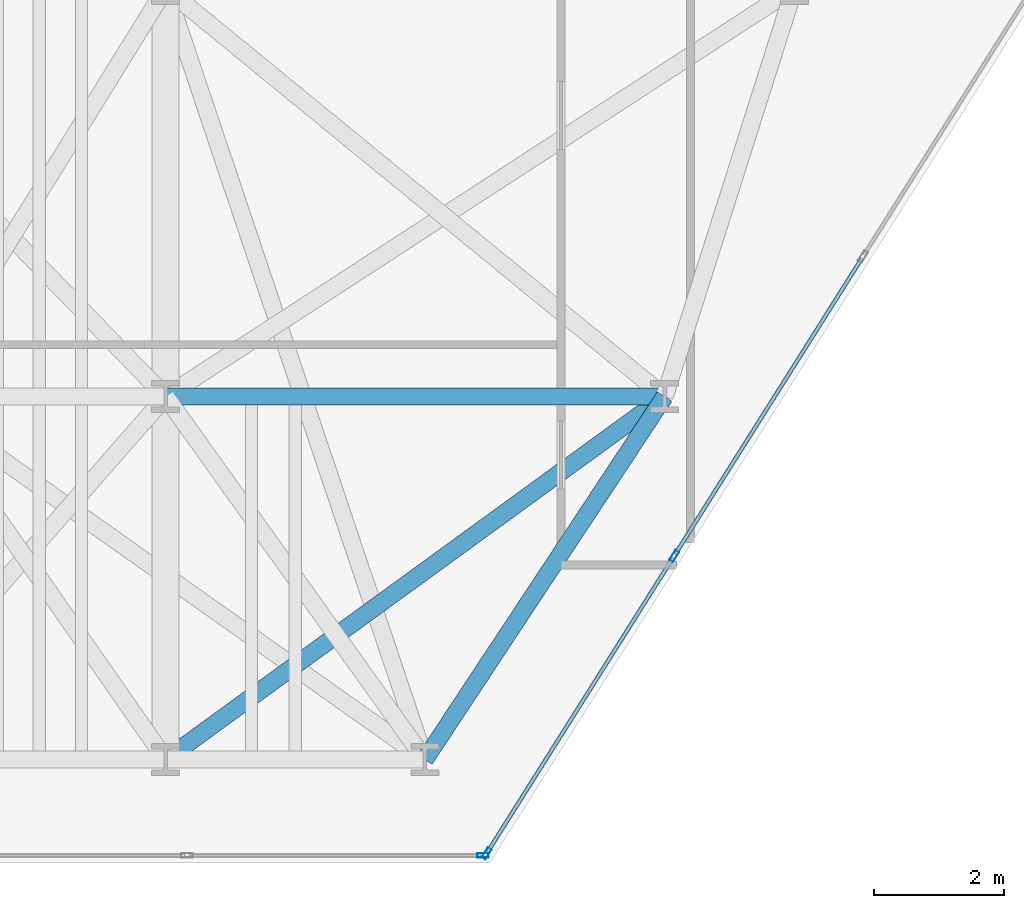
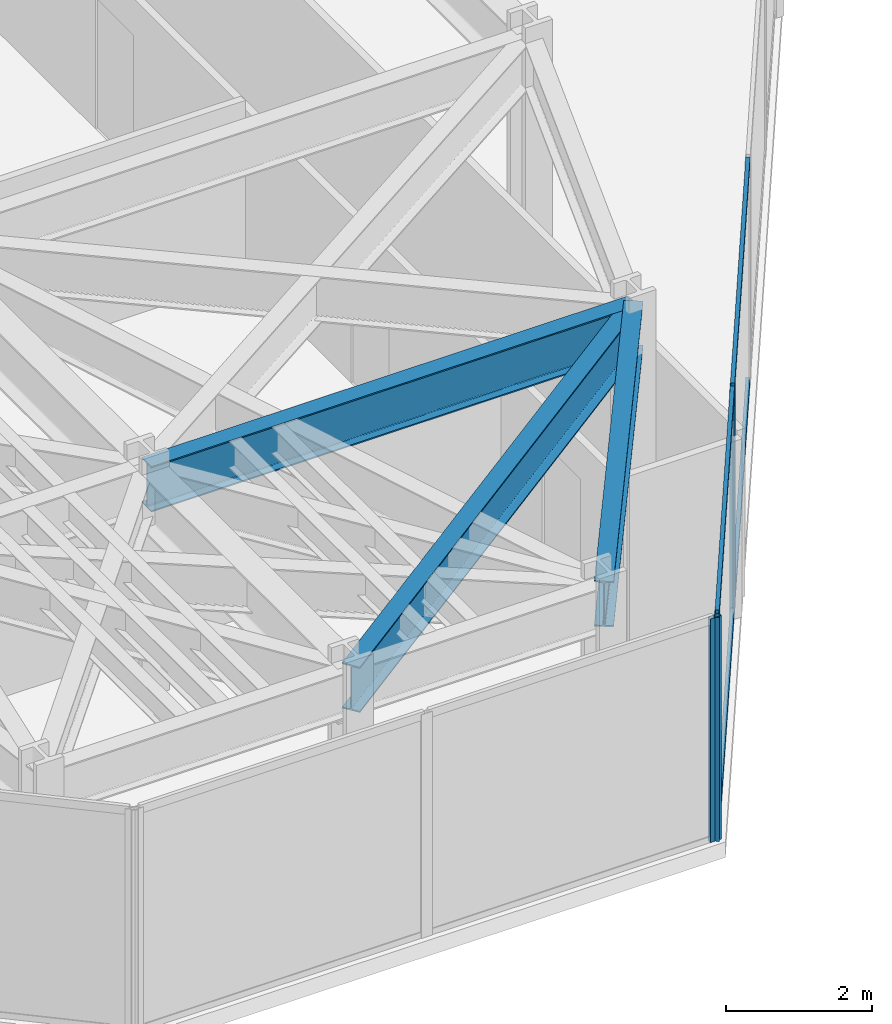
# One storey, part 5 of 25: 7 members, 3 beams, 2 elements without a shape of their own.
"""IFC4 building model written with IfcOpenShell, lengths in metres."""

from ifc_helpers import new_model, si_unit, direction, frame, origin, origin_2d, place, context, subcontext, project, spatial, hollow_rectangle, i_section, extrude, material, layer, layer_set, material_profile, profile_set, type_object, element, aggregate, save


model = new_model("IFC4")

# Units and contexts
model_context = context("Model", 3, precision=1e-05, world=origin(), true_north=direction((0.0, 1.0)))
body_context = subcontext(model_context, "Body", "Model", "MODEL_VIEW")
ifc_project = project(units=[si_unit("LENGTHUNIT", "METRE"), si_unit("AREAUNIT", "SQUARE_METRE"), si_unit("VOLUMEUNIT", "CUBIC_METRE"), si_unit("PLANEANGLEUNIT", "RADIAN"), si_unit("MASSUNIT", "GRAM", prefix="KILO")], contexts=[model_context])

# Site, building, storey
site_placement = place(None, origin())
site = spatial("IfcSite", under=ifc_project, at=site_placement, CompositionType="ELEMENT")
building_placement = place(site_placement, origin())
building = spatial("IfcBuilding", under=site, at=building_placement, Name="Kravanh Interchange Tower", CompositionType="ELEMENT")
storey_placement = place(building_placement, frame((0.0, 0.0, 65.5)))
storey = spatial("IfcBuildingStorey", under=building, at=storey_placement, Name="L15", CompositionType="ELEMENT", Elevation=65.5)

# Curtain wall, members
ifc_material_1 = material(Name="Anodised Bronze Aluminium", Category="aluminium")
ifc_layer = layer(ifc_material_1, 0.179931640625)
ifc_layer_set = layer_set([ifc_layer], Name="Unitised Curtain Wall System CW-Z1 Lower Office")
curtain_wall_type = type_object("IfcCurtainWallType", Name="Unitised Curtain Wall System CW-Z1 Lower Office", PredefinedType="NOTDEFINED", material=ifc_layer_set)
curtain_wall_1_placement = place(storey_placement, origin())
curtain_wall_1 = element("IfcCurtainWall", 1, at=curtain_wall_1_placement, inside=storey, type_object=curtain_wall_type, Name="L15 Unitised Curtain Wall CW-L15-05", PredefinedType="NOTDEFINED")
ifc_material_2 = material(Name="Anodised Bronze Aluminium", Category="aluminium")
ifc_material_profile_1 = material_profile(ifc_material_2, hollow_rectangle(XDim=0.070068359375, YDim=0.179931640625, WallThickness=0.00390625, at=origin_2d()), Name="ALU70X180X4")
ifc_profile_set_1 = profile_set([ifc_material_profile_1], Name="Anodised Bronze Aluminium")
member_type_1 = type_object("IfcMemberType", Name="Curtain Wall Mullion ALU70X180X4 Bronze", PredefinedType="MULLION", material=ifc_profile_set_1)
member_1_placement = place(storey_placement, frame((25.346923828125, 5.740966796875, 0.0), z_axis=(0.0, 0.0, 1.0), x_axis=(0.845925530786, -0.53330103728, 0.0)))
member_1 = element("IfcMember", 2, at=member_1_placement, type_object=member_type_1, Name="CW-Z1 mullion 5", PredefinedType="MULLION", context=body_context, shape_type="SweptSolid", body=[
    extrude(hollow_rectangle(XDim=0.070068359375, YDim=0.179931640625, WallThickness=0.00390625, at=origin_2d()), origin(), (0.0, 0.0, 1.0), 3.739990234375),
])
member_2_placement = place(storey_placement, frame((22.452392578125, 1.149658203125, 0.0), z_axis=(0.0, 0.0, 1.0), x_axis=(0.845925530786, -0.53330103728, 0.0)))
member_2 = element("IfcMember", 3, at=member_2_placement, type_object=member_type_1, Name="CW-Z1 mullion 6", PredefinedType="MULLION", context=body_context, shape_type="SweptSolid", body=[
    extrude(hollow_rectangle(XDim=0.070068359375, YDim=0.179931640625, WallThickness=0.00390625, at=origin_2d()), origin(), (0.0, 0.0, 1.0), 3.739990234375),
])

# Curtain wall, member
curtain_wall_2_placement = place(storey_placement, origin())
curtain_wall_2 = element("IfcCurtainWall", 4, at=curtain_wall_2_placement, inside=storey, type_object=curtain_wall_type, Name="L15 Unitised Curtain Wall CW-L15-06", PredefinedType="NOTDEFINED")
member_3_placement = place(storey_placement, frame((22.398681640625, 1.1201171875, 0.0), z_axis=(0.0, 0.0, 1.0), x_axis=(0.0, -1.0, 0.0)))
member_3 = element("IfcMember", 5, at=member_3_placement, type_object=member_type_1, Name="CW-Z1 mullion 1", PredefinedType="MULLION", context=body_context, shape_type="SweptSolid", body=[
    extrude(hollow_rectangle(XDim=0.070068359375, YDim=0.179931640625, WallThickness=0.00390625, at=origin_2d()), origin(), (0.0, 0.0, 1.0), 3.739990234375),
])
aggregate(curtain_wall_2, [member_3])

# Member
ifc_material_3 = material(Name="Anodised Bronze Aluminium", Category="aluminium")
ifc_material_profile_2 = material_profile(ifc_material_3, hollow_rectangle(XDim=0.06005859375, YDim=0.139892578125, WallThickness=0.00390625, at=origin_2d()), Name="ALU60X140X4")
ifc_profile_set_2 = profile_set([ifc_material_profile_2], Name="Anodised Bronze Aluminium")
member_type_2 = type_object("IfcMemberType", Name="Curtain Wall Transom ALU60X140X4 Bronze", PredefinedType="USERDEFINED", material=ifc_profile_set_2)
member_4_placement = place(storey_placement, frame((28.24169921875, 10.332275390625, 0.030029296875), z_axis=(-0.533311487456, -0.84591894254, 0.0), x_axis=(0.84591894254, -0.533311487456, 0.0)))
member_4 = element("IfcMember", 6, at=member_4_placement, type_object=member_type_2, Name="CW-Z1 transom 4.1", ObjectType="TRANSOM", PredefinedType="USERDEFINED", context=body_context, shape_type="SweptSolid", body=[
    extrude(hollow_rectangle(XDim=0.06005859375, YDim=0.139892578125, WallThickness=0.00390625, at=origin_2d()), origin(), (0.0, 0.0, 1.0), 5.392578125),
])

member_5_placement = place(storey_placement, frame((28.24169921875, 10.332275390625, 3.7099609375), z_axis=(-0.533311487456, -0.84591894254, 0.0), x_axis=(0.84591894254, -0.533311487456, 0.0)))
member_5 = element("IfcMember", 7, at=member_5_placement, type_object=member_type_2, Name="CW-Z1 transom 4.2", ObjectType="TRANSOM", PredefinedType="USERDEFINED", context=body_context, shape_type="SweptSolid", body=[
    extrude(hollow_rectangle(XDim=0.06005859375, YDim=0.139892578125, WallThickness=0.00390625, at=origin_2d()), origin(), (0.0, 0.0, 1.0), 5.392578125),
])

member_6_placement = place(storey_placement, frame((25.328369140625, 5.71142578125, 0.030029296875), z_axis=(-0.533288163518, -0.845933646719, 0.0), x_axis=(0.845933646719, -0.533288163518, 0.0)))
member_6 = element("IfcMember", 8, at=member_6_placement, type_object=member_type_2, Name="CW-Z1 transom 5.1", ObjectType="TRANSOM", PredefinedType="USERDEFINED", context=body_context, shape_type="SweptSolid", body=[
    extrude(hollow_rectangle(XDim=0.06005859375, YDim=0.139892578125, WallThickness=0.00390625, at=origin_2d()), origin(), (0.0, 0.0, 1.0), 5.357666015625),
])

member_7_placement = place(storey_placement, frame((25.328369140625, 5.71142578125, 3.7099609375), z_axis=(-0.533288163518, -0.845933646719, 0.0), x_axis=(0.845933646719, -0.533288163518, 0.0)))
member_7 = element("IfcMember", 9, at=member_7_placement, type_object=member_type_2, Name="CW-Z1 transom 5.2", ObjectType="TRANSOM", PredefinedType="USERDEFINED", context=body_context, shape_type="SweptSolid", body=[
    extrude(hollow_rectangle(XDim=0.06005859375, YDim=0.139892578125, WallThickness=0.00390625, at=origin_2d()), origin(), (0.0, 0.0, 1.0), 5.357666015625),
])

aggregate(curtain_wall_1, [member_1, member_2, member_4, member_5, member_6, member_7])

# Beams
ifc_material_4 = material(Name="Structural Steel S355", Category="steel")
ifc_material_profile_3 = material_profile(ifc_material_4, i_section(OverallWidth=0.26708984375, OverallDepth=0.761962890625, WebThickness=0.014404296875, FlangeThickness=0.021484375, FilletRadius=0.02490234375, at=origin_2d()), Name="W30X116")
ifc_profile_set_3 = profile_set([ifc_material_profile_3], Name="Structural Steel S355")
beam_type = type_object("IfcBeamType", Name="Floor Spandrel W30X116 Structural Steel S355", PredefinedType="SPANDREL", material=ifc_profile_set_3)
beam_1_placement = place(storey_placement, frame((17.5, 2.60009765625, 3.35888671875), z_axis=(0.808741628611, 0.588164074176, 0.0), x_axis=(-0.588164074176, 0.808741628611, 0.0)))
element("IfcBeam", 10, at=beam_1_placement, inside=storey, type_object=beam_type, Name="L15 Perimeter Spandrel 105", PredefinedType="SPANDREL", context=body_context, shape_type="SweptSolid", body=[
    extrude(i_section(OverallWidth=0.26708984375, OverallDepth=0.761962890625, WebThickness=0.014404296875, FlangeThickness=0.021484375, FilletRadius=0.02490234375, at=origin_2d()), origin(), (0.0, 0.0, 1.0), 9.52099609375),
])
beam_2_placement = place(storey_placement, frame((21.5, 2.60009765625, 3.35888671875), z_axis=(0.551262239226, 0.834332034386, 0.0), x_axis=(-0.834332034386, 0.551262239226, 0.0)))
element("IfcBeam", 11, at=beam_2_placement, inside=storey, type_object=beam_type, Name="L15 Perimeter Spandrel 121", PredefinedType="SPANDREL", context=body_context, shape_type="SweptSolid", body=[
    extrude(i_section(OverallWidth=0.26708984375, OverallDepth=0.761962890625, WebThickness=0.014404296875, FlangeThickness=0.021484375, FilletRadius=0.02490234375, at=origin_2d()), origin(), (0.0, 0.0, 1.0), 6.711669921875),
])
beam_3_placement = place(storey_placement, frame((17.5, 8.199951171875, 3.35888671875), z_axis=(1.0, 0.0, 0.0), x_axis=(0.0, 1.0, 0.0)))
element("IfcBeam", 12, at=beam_3_placement, inside=storey, type_object=beam_type, Name="L15 Perimeter Spandrel 137", PredefinedType="SPANDREL", context=body_context, shape_type="SweptSolid", body=[
    extrude(i_section(OverallWidth=0.26708984375, OverallDepth=0.761962890625, WebThickness=0.014404296875, FlangeThickness=0.021484375, FilletRadius=0.02490234375, at=origin_2d()), origin(), (0.0, 0.0, 1.0), 7.699951171875),
])

save(model, "model.ifc")
